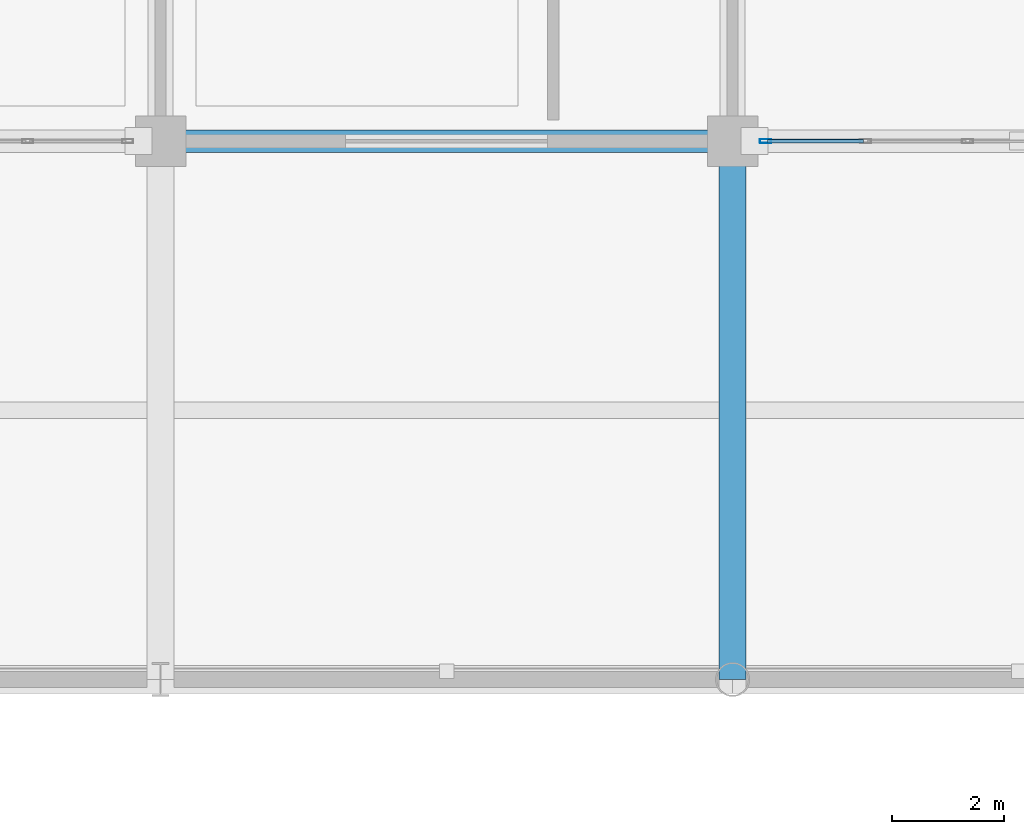
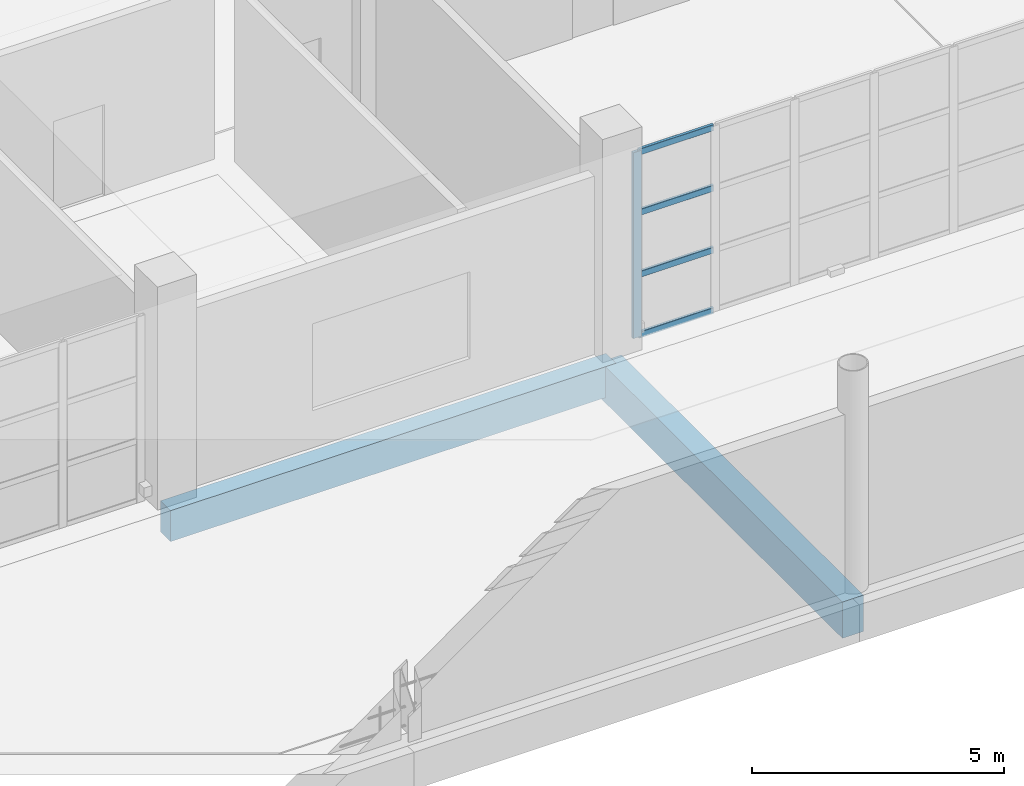
# One storey, part 38 of 175: 5 members, 2 beams, 1 element without a shape of its own.
"""IFC4 building model written with IfcOpenShell, lengths in metres."""

import ifcopenshell
import ifcopenshell.guid

model = None  # the IFC model being written
_history = None  # IfcOwnerHistory: only IFC2X3 demands one
_inside = {}  # id of a spatial element -> (the spatial element, [elements in it])
_under = {}  # id of a project, library or spatial element -> (it, [spatial elements below it])
_declared = {}  # id of a project -> (the project, [libraries it declares])
_typed = {}  # id of a type object -> (the type object, [elements of that type])
_made_of = {}  # id of a material, layer set ... -> (it, [elements and type objects made of it])


def new_model(schema):
    """Start an empty IFC model of exactly this schema.

    Asked for "IFC4X3", IfcOpenShell would pick the latest addendum, in which some entities
    have other attributes; the version numbers below select the first issue.
    IFC2X3 requires an IfcOwnerHistory on every rooted entity: one is made here for all.
    """
    global model, _history
    if schema == "IFC4X3":
        model = ifcopenshell.file(schema_version=(4, 3, 0, 0))
    else:
        model = ifcopenshell.file(schema=schema)
    _inside.clear()
    _under.clear()
    _declared.clear()
    _typed.clear()
    _made_of.clear()
    _history = None
    if model.schema == "IFC2X3":
        org = make("IfcOrganization", Name="unknown")
        user = make(
            "IfcPersonAndOrganization",
            ThePerson=make("IfcPerson", FamilyName="unknown"),
            TheOrganization=org,
        )
        app = make(
            "IfcApplication",
            ApplicationDeveloper=org,
            Version="unknown",
            ApplicationFullName="unknown",
            ApplicationIdentifier="unknown",
        )
        _history = make(
            "IfcOwnerHistory",
            OwningUser=user,
            OwningApplication=app,
            ChangeAction="ADDED",
            CreationDate=0,
        )
    return model


def make(cls, **values):
    """One entity of the class cls with the attributes given. An attribute that is None is left unset."""
    return model.create_entity(
        cls, **{name: value for name, value in values.items() if value is not None}
    )


def rooted(cls, **values):
    """An entity with a GlobalId (a new one), such as an element, a storey or a relation."""
    return make(cls, GlobalId=ifcopenshell.guid.new(), OwnerHistory=_history, **values)


def si_unit(unit_type, name, prefix=None):
    """IfcSIUnit, for example si_unit("LENGTHUNIT", "METRE", prefix="MILLI")."""
    return make("IfcSIUnit", UnitType=unit_type, Prefix=prefix, Name=name)


def assignment(units):
    """IfcUnitAssignment: the units of a project."""
    return None if units is None else make("IfcUnitAssignment", Units=units)


def point(xyz):
    """IfcCartesianPoint."""
    return None if xyz is None else make("IfcCartesianPoint", Coordinates=xyz)


def direction(xyz):
    """IfcDirection."""
    return None if xyz is None else make("IfcDirection", DirectionRatios=xyz)


def frame(location, z_axis=None, x_axis=None):
    """IfcAxis2Placement3D, a coordinate frame: its origin and axes. An axis left out is left unset."""
    return make(
        "IfcAxis2Placement3D",
        Location=point(location),
        Axis=direction(z_axis),
        RefDirection=direction(x_axis),
    )


def frame_2d(location, x_axis=None):
    """IfcAxis2Placement2D, a coordinate frame in the plane: its origin and x axis."""
    return make(
        "IfcAxis2Placement2D", Location=point(location), RefDirection=direction(x_axis)
    )


def origin():
    """The frame at (0, 0, 0) with its axes left unset."""
    return frame((0.0, 0.0, 0.0))


def origin_2d():
    """The frame at (0, 0) in the plane with its x axis left unset."""
    return frame_2d((0.0, 0.0))


def place(relative_to, where):
    """IfcLocalPlacement: puts the frame where relative to a parent placement (None: the world)."""
    return make(
        "IfcLocalPlacement", PlacementRelTo=relative_to, RelativePlacement=where
    )


def context(
    kind, dimensions, precision=None, world=None, true_north=None, identifier=None
):
    """IfcGeometricRepresentationContext, for example the 3D "Model" context."""
    return make(
        "IfcGeometricRepresentationContext",
        ContextIdentifier=identifier,
        ContextType=kind,
        CoordinateSpaceDimension=dimensions,
        Precision=precision,
        WorldCoordinateSystem=world,
        TrueNorth=true_north,
    )


def subcontext(parent, identifier, kind, view, scale=None):
    """IfcGeometricRepresentationSubContext, for example "Body" below "Model"."""
    return make(
        "IfcGeometricRepresentationSubContext",
        ContextIdentifier=identifier,
        ContextType=kind,
        ParentContext=parent,
        TargetScale=scale,
        TargetView=view,
    )


def project(units=None, contexts=None):
    """IfcProject with its units and contexts."""
    return rooted(
        "IfcProject",
        Name="project",
        RepresentationContexts=contexts,
        UnitsInContext=assignment(units),
    )


def spatial(cls, under=None, at=None, **own):
    """A site, building, storey or space (cls), placed at a placement, below another one or the project."""
    s = rooted(cls, ObjectPlacement=at, **own)
    if under is not None:
        _under.setdefault(under.id(), (under, []))[1].append(s)
    return s


def profile(cls, at=None, kind="AREA", **sizes):
    """A parametric profile (cls). Its sizes go by their IFC names, for example OverallWidth=200.0."""
    return make(cls, ProfileType=kind, Position=at, **sizes)


def rectangle(**sizes):
    """IfcRectangleProfileDef."""
    return profile("IfcRectangleProfileDef", **sizes)


def hollow_rectangle(**sizes):
    """IfcRectangleHollowProfileDef."""
    return profile("IfcRectangleHollowProfileDef", **sizes)


def extrude(swept, where, along, depth):
    """IfcExtrudedAreaSolid: the profile swept, set in the frame where, extruded along a direction by depth."""
    return make(
        "IfcExtrudedAreaSolid",
        SweptArea=swept,
        Position=where,
        ExtrudedDirection=direction(along),
        Depth=depth,
    )


def shape(context_of_items, identifier, shape_type, items):
    """IfcShapeRepresentation: the items that make up one representation, for example the "Body"."""
    return make(
        "IfcShapeRepresentation",
        ContextOfItems=context_of_items,
        RepresentationIdentifier=identifier,
        RepresentationType=shape_type,
        Items=items,
    )


def material(Name=None, Category=None):
    """IfcMaterial."""
    return make("IfcMaterial", Name=Name, Category=Category)


def material_profile(
    of_material, cross_section, Name=None, Category=None, Priority=None
):
    """IfcMaterialProfile: a cross section and its material."""
    return make(
        "IfcMaterialProfile",
        Name=Name,
        Material=of_material,
        Profile=cross_section,
        Priority=Priority,
        Category=Category,
    )


def profile_set(profiles, Name=None, composite=None):
    """IfcMaterialProfileSet."""
    return make(
        "IfcMaterialProfileSet",
        Name=Name,
        MaterialProfiles=profiles,
        CompositeProfile=composite,
    )


def made_of(thing, what):
    """Note that an element or type object is made of a material, layer set ...; save() writes the relation."""
    if what is not None:
        _made_of.setdefault(what.id(), (what, []))[1].append(thing)
    return thing


def type_object(cls, material=None, **own):
    """A type object (cls), such as IfcWallType, which elements share."""
    return made_of(rooted(cls, **own), material)


def element(
    cls,
    number,
    at=None,
    inside=None,
    cuts=None,
    type_object=None,
    material=None,
    context=None,
    identifier="Body",
    shape_type=None,
    held_by="IfcProductDefinitionShape",
    body=None,
    shapes=None,
    **own,
):
    """One element of the class cls, such as IfcWall. Its Tag is "e" and its number.

    at: its placement. inside: the storey or other place that contains it. cuts: it is an
    opening in that element (IfcRelVoidsElement). A single representation is given by context,
    identifier, shape_type and body (its items); several are given by shapes. held_by: the class
    of the entity that holds the representations. save() writes the other relations.
    """
    e = rooted(cls, Tag="e%d" % number, ObjectPlacement=at, **own)
    if body is not None:
        shapes = [shape(context, identifier, shape_type, body)]
    if shapes is not None:
        e.Representation = make(held_by, Representations=shapes)
    if inside is not None:
        _inside.setdefault(inside.id(), (inside, []))[1].append(e)
    if cuts is not None:
        rooted(
            "IfcRelVoidsElement", RelatingBuildingElement=cuts, RelatedOpeningElement=e
        )
    if type_object is not None:
        _typed.setdefault(type_object.id(), (type_object, []))[1].append(e)
    return made_of(e, material)


def aggregate(whole, parts):
    """IfcRelAggregates: a whole, such as a stair, and the parts it consists of."""
    return rooted("IfcRelAggregates", RelatingObject=whole, RelatedObjects=parts)


def save(model, path):
    """Write the relations noted so far, then the file.

    IfcRelAggregates (storeys below a building ...), IfcRelContainedInSpatialStructure (elements
    in a storey), IfcRelDefinesByType, IfcRelAssociatesMaterial and IfcRelDeclares: one each for
    every whole, place, type object, material and project.
    """
    for whole, parts in _under.values():
        aggregate(whole, parts)
    for where, things in _inside.values():
        rooted(
            "IfcRelContainedInSpatialStructure",
            RelatedElements=things,
            RelatingStructure=where,
        )
    for kind, things in _typed.values():
        rooted("IfcRelDefinesByType", RelatedObjects=things, RelatingType=kind)
    for what, things in _made_of.values():
        rooted("IfcRelAssociatesMaterial", RelatedObjects=things, RelatingMaterial=what)
    for by, libraries in _declared.values():
        rooted("IfcRelDeclares", RelatingContext=by, RelatedDefinitions=libraries)
    model.write(path)


model = new_model("IFC4")

# Units and contexts
model_context = context("Model", 3, precision=1e-05, world=origin(), true_north=direction((0.0, 1.0)))
body_context = subcontext(model_context, "Body", "Model", "MODEL_VIEW")
ifc_project = project(units=[si_unit("LENGTHUNIT", "METRE"), si_unit("AREAUNIT", "SQUARE_METRE"), si_unit("VOLUMEUNIT", "CUBIC_METRE"), si_unit("PLANEANGLEUNIT", "RADIAN"), si_unit("MASSUNIT", "GRAM", prefix="KILO")], contexts=[model_context])

# Site, building, storey
site_placement = place(None, origin())
site = spatial("IfcSite", under=ifc_project, at=site_placement, CompositionType="ELEMENT")
building_placement = place(site_placement, origin())
building = spatial("IfcBuilding", under=site, at=building_placement, Name="Brelvane Convention Centre", CompositionType="ELEMENT")
storey_placement = place(building_placement, frame((0.0, 0.0, 5.39990234375)))
storey = spatial("IfcBuildingStorey", under=building, at=storey_placement, Name="L01", CompositionType="ELEMENT", Elevation=5.39990234375)

# Curtain wall, members
ifc_material_1 = material(Name="Anodised Aluminium Alloy 6063-T6", Category="aluminium")
curtain_wall_type = type_object("IfcCurtainWallType", Name="Curtain Wall CW-COURT", PredefinedType="USERDEFINED", material=ifc_material_1)
curtain_wall_placement = place(storey_placement, origin())
curtain_wall = element("IfcCurtainWall", 1, at=curtain_wall_placement, inside=storey, type_object=curtain_wall_type, Name="Curtain Wall CW-COURT L01-V4S-07", ObjectType="UNITISED", PredefinedType="USERDEFINED")
ifc_material_2 = material(Name="Anodised Aluminium Alloy 6063-T6", Category="aluminium")
ifc_material_profile_1 = material_profile(ifc_material_2, hollow_rectangle(XDim=0.074951171875, YDim=0.199951171875, WallThickness=0.0048828125, InnerFilletRadius=0.0048828125, OuterFilletRadius=0.010009765625, at=origin_2d()), Name="ALU-M 200x75x5.0")
ifc_profile_set_1 = profile_set([ifc_material_profile_1], Name="Anodised Aluminium Alloy 6063-T6")
member_type_1 = type_object("IfcMemberType", Name="Curtain Mullion CW-M2", PredefinedType="MULLION", material=ifc_profile_set_1)
member_1_placement = place(storey_placement, frame((61.78759765625, 109.199951171875, 0.0), z_axis=(0.0, 0.0, 1.0), x_axis=(0.0, 1.0, 0.0)))
member_1 = element("IfcMember", 2, at=member_1_placement, type_object=member_type_1, Name="CW-COURT mullion 1", PredefinedType="MULLION", context=body_context, shape_type="SweptSolid", body=[
    extrude(hollow_rectangle(XDim=0.074951171875, YDim=0.199951171875, WallThickness=0.0048828125, InnerFilletRadius=0.0048828125, OuterFilletRadius=0.010009765625, at=origin_2d()), origin(), (0.0, 0.0, 1.0), 4.5),
])
ifc_material_3 = material(Name="Anodised Aluminium Alloy 6063-T6", Category="aluminium")
ifc_material_profile_2 = material_profile(ifc_material_3, hollow_rectangle(XDim=0.070068359375, YDim=0.14990234375, WallThickness=0.00439453125, InnerFilletRadius=0.00439453125, OuterFilletRadius=0.009033203125, at=origin_2d()), Name="ALU-T 150x70x4.5")
ifc_profile_set_2 = profile_set([ifc_material_profile_2], Name="Anodised Aluminium Alloy 6063-T6")
member_type_2 = type_object("IfcMemberType", Name="Curtain Transom CW-T2", PredefinedType="USERDEFINED", material=ifc_profile_set_2)
member_2_placement = place(storey_placement, frame((61.824951171875, 109.199951171875, 0.03515625), z_axis=(1.0, 0.0, 0.0), x_axis=(0.0, 1.0, 0.0)))
member_2 = element("IfcMember", 3, at=member_2_placement, type_object=member_type_2, Name="CW-COURT transom 1.1", ObjectType="TRANSOM", PredefinedType="USERDEFINED", context=body_context, shape_type="SweptSolid", body=[
    extrude(hollow_rectangle(XDim=0.070068359375, YDim=0.14990234375, WallThickness=0.00439453125, InnerFilletRadius=0.00439453125, OuterFilletRadius=0.009033203125, at=origin_2d()), origin(), (0.0, 0.0, 1.0), 1.70751953125),
])
member_3_placement = place(storey_placement, frame((61.824951171875, 109.199951171875, 1.5), z_axis=(1.0, 0.0, 0.0), x_axis=(0.0, 1.0, 0.0)))
member_3 = element("IfcMember", 4, at=member_3_placement, type_object=member_type_2, Name="CW-COURT transom 1.2", ObjectType="TRANSOM", PredefinedType="USERDEFINED", context=body_context, shape_type="SweptSolid", body=[
    extrude(hollow_rectangle(XDim=0.070068359375, YDim=0.14990234375, WallThickness=0.00439453125, InnerFilletRadius=0.00439453125, OuterFilletRadius=0.009033203125, at=origin_2d()), origin(), (0.0, 0.0, 1.0), 1.70751953125),
])
member_4_placement = place(storey_placement, frame((61.824951171875, 109.199951171875, 3.0), z_axis=(1.0, 0.0, 0.0), x_axis=(0.0, 1.0, 0.0)))
member_4 = element("IfcMember", 5, at=member_4_placement, type_object=member_type_2, Name="CW-COURT transom 1.3", ObjectType="TRANSOM", PredefinedType="USERDEFINED", context=body_context, shape_type="SweptSolid", body=[
    extrude(hollow_rectangle(XDim=0.070068359375, YDim=0.14990234375, WallThickness=0.00439453125, InnerFilletRadius=0.00439453125, OuterFilletRadius=0.009033203125, at=origin_2d()), origin(), (0.0, 0.0, 1.0), 1.70751953125),
])
member_5_placement = place(storey_placement, frame((61.824951171875, 109.199951171875, 4.465087890625), z_axis=(1.0, 0.0, 0.0), x_axis=(0.0, 1.0, 0.0)))
member_5 = element("IfcMember", 6, at=member_5_placement, type_object=member_type_2, Name="CW-COURT transom 1.4", ObjectType="TRANSOM", PredefinedType="USERDEFINED", context=body_context, shape_type="SweptSolid", body=[
    extrude(hollow_rectangle(XDim=0.070068359375, YDim=0.14990234375, WallThickness=0.00439453125, InnerFilletRadius=0.00439453125, OuterFilletRadius=0.009033203125, at=origin_2d()), origin(), (0.0, 0.0, 1.0), 1.70751953125),
])
aggregate(curtain_wall, [member_1, member_2, member_3, member_4, member_5])

# Beams
ifc_material_4 = material(Name="Concrete M40", Category="concrete")
ifc_material_profile_3 = material_profile(ifc_material_4, rectangle(XDim=0.47998046875, YDim=0.8798828125, at=origin_2d()), Name="RC 480x880")
ifc_profile_set_3 = profile_set([ifc_material_profile_3], Name="Concrete M40")
beam_type_1 = type_object("IfcBeamType", Name="RC Beam B-RC10 (RC 480x880)", PredefinedType="BEAM", material=ifc_profile_set_3)
beam_1_placement = place(storey_placement, frame((61.199951171875, 99.60009765625, -0.760009765625), z_axis=(0.0, 1.0, 0.0), x_axis=(-1.0, 0.0, 0.0)))
element("IfcBeam", 7, at=beam_1_placement, inside=storey, type_object=beam_type_1, Name="L01 Girder 7/K-L", PredefinedType="BEAM", context=body_context, shape_type="SweptSolid", body=[
    extrude(rectangle(XDim=0.47998046875, YDim=0.8798828125, at=origin_2d()), origin(), (0.0, 0.0, 1.0), 9.599853515625),
])
ifc_material_5 = material(Name="Concrete M40", Category="concrete")
ifc_material_profile_4 = material_profile(ifc_material_5, rectangle(XDim=0.39990234375, YDim=0.75, at=origin_2d()), Name="RC 400x750")
ifc_profile_set_4 = profile_set([ifc_material_profile_4], Name="Concrete M40")
beam_type_2 = type_object("IfcBeamType", Name="RC Spandrel SP-RC1 (RC 400x750)", PredefinedType="SPANDREL", material=ifc_profile_set_4)
beam_2_placement = place(storey_placement, frame((51.0, 109.199951171875, -0.69482421875), z_axis=(1.0, 0.0, 0.0), x_axis=(0.0, 1.0, 0.0)))
element("IfcBeam", 8, at=beam_2_placement, inside=storey, type_object=beam_type_2, Name="L01 Beam 6-7/L", PredefinedType="SPANDREL", context=body_context, shape_type="SweptSolid", body=[
    extrude(rectangle(XDim=0.39990234375, YDim=0.75, at=origin_2d()), origin(), (0.0, 0.0, 1.0), 10.199951171875),
])

save(model, "model.ifc")
